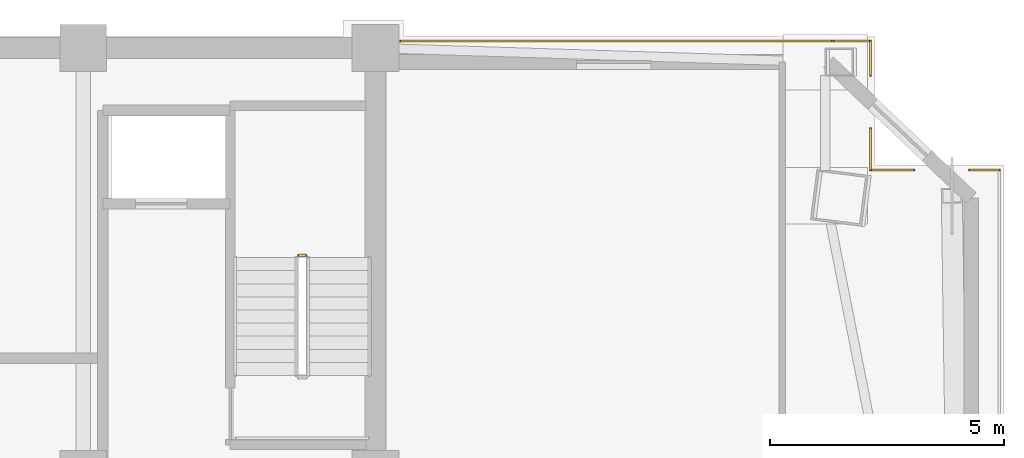
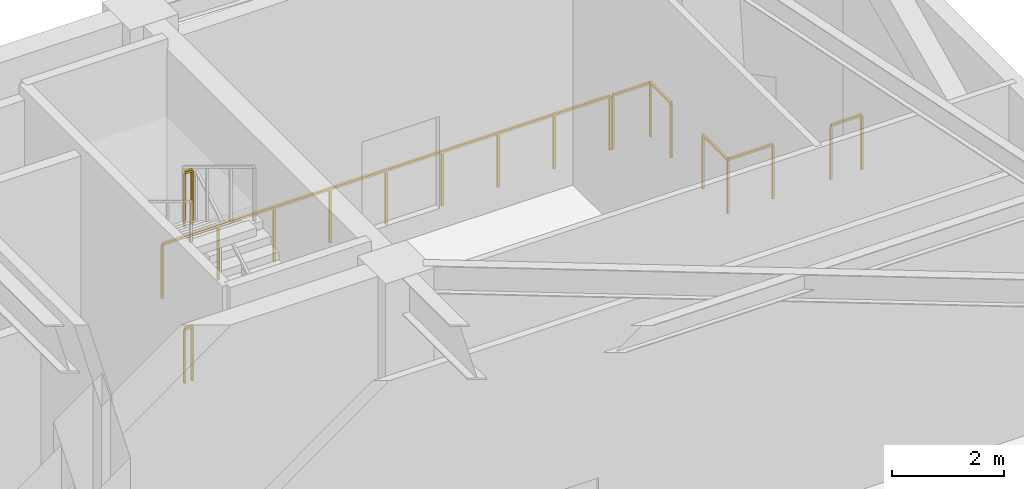
# One storey, part 16 of 16: 8 railings.
"""IFC4 building model written with IfcOpenShell, lengths in metres."""

from ifc_helpers import new_model, si_unit, direction, frame, origin, origin_2d, place, context, subcontext, project, spatial, rectangle, extrude, material, type_object, element, save


model = new_model("IFC4")

# Units and contexts
model_context = context("Model", 3, precision=1e-05, world=origin(), true_north=direction((0.0, 1.0)))
body_context = subcontext(model_context, "Body", "Model", "MODEL_VIEW")
ifc_project = project(units=[si_unit("LENGTHUNIT", "METRE"), si_unit("AREAUNIT", "SQUARE_METRE"), si_unit("VOLUMEUNIT", "CUBIC_METRE"), si_unit("PLANEANGLEUNIT", "RADIAN"), si_unit("MASSUNIT", "GRAM", prefix="KILO")], contexts=[model_context])

# Site, building, storey
site_placement = place(None, origin())
site = spatial("IfcSite", under=ifc_project, at=site_placement, CompositionType="ELEMENT")
building_placement = place(site_placement, origin())
building = spatial("IfcBuilding", under=site, at=building_placement, Name="Giltprow Tower", CompositionType="ELEMENT")
storey_placement = place(building_placement, frame((0.0, 0.0, 220.199951171875)))
storey = spatial("IfcBuildingStorey", under=building, at=storey_placement, Name="L56", CompositionType="ELEMENT", Elevation=220.199951171875)

# Railings
ifc_material = material(Name="Anodized bronze", Category="metal")
railing_type_1 = type_object("IfcRailingType", Name="RAIL-BALC-GUARD-1200", PredefinedType="BALUSTRADE", material=ifc_material)
railing_1_placement = place(storey_placement, frame((51.0849609375, 46.699951171875, 0.0)))
element("IfcRailing", 1, at=railing_1_placement, inside=storey, type_object=railing_type_1, Name="L56 Corner Apron Edge Balustrade 20", PredefinedType="BALUSTRADE", context=body_context, shape_type="SweptSolid", body=[
    extrude(rectangle(XDim=0.048095703125, YDim=0.048095703125, at=origin_2d()), frame((0.0, 0.0, 1.17578125), z_axis=(1.0, 0.0, 0.0), x_axis=(0.0, 1.0, 0.0)), (0.0, 0.0, 1.0), 9.212158203125),
    extrude(rectangle(XDim=0.0419921875, YDim=0.0419921875, at=origin_2d()), origin(), (0.0, 0.0, 1.0), 1.15185546875),
    extrude(rectangle(XDim=0.0419921875, YDim=0.0419921875, at=origin_2d()), frame((1.151611328125, 0.0, 0.0)), (0.0, 0.0, 1.0), 1.15185546875),
    extrude(rectangle(XDim=0.0419921875, YDim=0.0419921875, at=origin_2d()), frame((2.302978515625, 0.0, 0.0)), (0.0, 0.0, 1.0), 1.15185546875),
    extrude(rectangle(XDim=0.0419921875, YDim=0.0419921875, at=origin_2d()), frame((3.45458984375, 0.0, 0.0)), (0.0, 0.0, 1.0), 1.15185546875),
    extrude(rectangle(XDim=0.0419921875, YDim=0.0419921875, at=origin_2d()), frame((4.60595703125, 0.0, 0.0)), (0.0, 0.0, 1.0), 1.15185546875),
    extrude(rectangle(XDim=0.0419921875, YDim=0.0419921875, at=origin_2d()), frame((5.757568359375, 0.0, 0.0)), (0.0, 0.0, 1.0), 1.15185546875),
    extrude(rectangle(XDim=0.0419921875, YDim=0.0419921875, at=origin_2d()), frame((6.9091796875, 0.0, 0.0)), (0.0, 0.0, 1.0), 1.15185546875),
    extrude(rectangle(XDim=0.0419921875, YDim=0.0419921875, at=origin_2d()), frame((8.060546875, 0.0, 0.0)), (0.0, 0.0, 1.0), 1.15185546875),
    extrude(rectangle(XDim=0.0419921875, YDim=0.0419921875, at=origin_2d()), frame((9.212158203125, 0.0, 0.0)), (0.0, 0.0, 1.0), 1.15185546875),
])
railing_2_placement = place(storey_placement, frame((60.35009765625, 46.699951171875, 0.0)))
element("IfcRailing", 2, at=railing_2_placement, inside=storey, type_object=railing_type_1, Name="L56 Corner Apron Edge Balustrade 21", PredefinedType="BALUSTRADE", context=body_context, shape_type="SweptSolid", body=[
    extrude(rectangle(XDim=0.048095703125, YDim=0.048095703125, at=origin_2d()), frame((0.0, 0.0, 1.17578125), z_axis=(1.0, 0.0, 0.0), x_axis=(0.0, 1.0, 0.0)), (0.0, 0.0, 1.0), 0.77783203125),
    extrude(rectangle(XDim=0.0419921875, YDim=0.0419921875, at=origin_2d()), origin(), (0.0, 0.0, 1.0), 1.15185546875),
    extrude(rectangle(XDim=0.0419921875, YDim=0.0419921875, at=origin_2d()), frame((0.77783203125, 0.0, 0.0)), (0.0, 0.0, 1.0), 1.15185546875),
])
railing_3_placement = place(storey_placement, frame((61.1279296875, 46.699951171875, 0.0)))
element("IfcRailing", 3, at=railing_3_placement, inside=storey, type_object=railing_type_1, Name="L56 Corner Apron Edge Balustrade 22", PredefinedType="BALUSTRADE", context=body_context, shape_type="SweptSolid", body=[
    extrude(rectangle(XDim=0.048095703125, YDim=0.048095703125, at=origin_2d()), frame((0.0, 0.0, 1.17578125), z_axis=(0.0, -1.0, 0.0), x_axis=(1.0, 0.0, 0.0)), (0.0, 0.0, 1.0), 0.739990234375),
    extrude(rectangle(XDim=0.0419921875, YDim=0.0419921875, at=origin_2d()), origin(), (0.0, 0.0, 1.0), 1.15185546875),
    extrude(rectangle(XDim=0.0419921875, YDim=0.0419921875, at=origin_2d()), frame((0.0, -0.739990234375, 0.0)), (0.0, 0.0, 1.0), 1.15185546875),
])
railing_4_placement = place(storey_placement, frame((61.1279296875, 44.827880859375, 0.0)))
element("IfcRailing", 4, at=railing_4_placement, inside=storey, type_object=railing_type_1, Name="L56 Corner Apron Edge Balustrade 23", PredefinedType="BALUSTRADE", context=body_context, shape_type="SweptSolid", body=[
    extrude(rectangle(XDim=0.048095703125, YDim=0.048095703125, at=origin_2d()), frame((0.0, 0.0, 1.17578125), z_axis=(0.0, -1.0, 0.0), x_axis=(1.0, 0.0, 0.0)), (0.0, 0.0, 1.0), 0.8818359375),
    extrude(rectangle(XDim=0.0419921875, YDim=0.0419921875, at=origin_2d()), origin(), (0.0, 0.0, 1.0), 1.15185546875),
    extrude(rectangle(XDim=0.0419921875, YDim=0.0419921875, at=origin_2d()), frame((0.0, -0.8818359375, 0.0)), (0.0, 0.0, 1.0), 1.15185546875),
])
railing_5_placement = place(storey_placement, frame((61.1279296875, 43.946044921875, 0.0)))
element("IfcRailing", 5, at=railing_5_placement, inside=storey, type_object=railing_type_1, Name="L56 Corner Apron Edge Balustrade 24", PredefinedType="BALUSTRADE", context=body_context, shape_type="SweptSolid", body=[
    extrude(rectangle(XDim=0.048095703125, YDim=0.048095703125, at=origin_2d()), frame((0.0, 0.0, 1.17578125), z_axis=(1.0, 0.0, 0.0), x_axis=(0.0, 1.0, 0.0)), (0.0, 0.0, 1.0), 0.927978515625),
    extrude(rectangle(XDim=0.0419921875, YDim=0.0419921875, at=origin_2d()), origin(), (0.0, 0.0, 1.0), 1.15185546875),
    extrude(rectangle(XDim=0.0419921875, YDim=0.0419921875, at=origin_2d()), frame((0.927978515625, 0.0, 0.0)), (0.0, 0.0, 1.0), 1.15185546875),
])
railing_6_placement = place(storey_placement, frame((63.24609375, 43.946044921875, 0.0)))
element("IfcRailing", 6, at=railing_6_placement, inside=storey, type_object=railing_type_1, Name="L56 Corner Apron Edge Balustrade 25", PredefinedType="BALUSTRADE", context=body_context, shape_type="SweptSolid", body=[
    extrude(rectangle(XDim=0.048095703125, YDim=0.048095703125, at=origin_2d()), frame((0.0, 0.0, 1.17578125), z_axis=(1.0, 0.0, 0.0), x_axis=(0.0, 1.0, 0.0)), (0.0, 0.0, 1.0), 0.635986328125),
    extrude(rectangle(XDim=0.0419921875, YDim=0.0419921875, at=origin_2d()), origin(), (0.0, 0.0, 1.0), 1.15185546875),
    extrude(rectangle(XDim=0.0419921875, YDim=0.0419921875, at=origin_2d()), frame((0.635986328125, 0.0, 0.0)), (0.0, 0.0, 1.0), 1.15185546875),
])
railing_type_2 = type_object("IfcRailingType", Name="RAIL-STAIR-GUARD-1200", PredefinedType="GUARDRAIL", material=ifc_material)
for number, where, name in (
    (7, (49.06005859375, 42.1201171875, 1.699951171875), "L56 ST-3 stair guard 2"),
    (8, (49.06005859375, 42.1201171875, 5.10009765625), "L56 ST-3 stair guard 6"),
):
    element("IfcRailing", number, at=place(storey_placement, frame(where)), inside=storey, type_object=railing_type_2, Name=name, PredefinedType="GUARDRAIL", context=body_context, shape_type="SweptSolid", body=[
        extrude(rectangle(XDim=0.048095703125, YDim=0.048095703125, at=origin_2d()), frame((0.0, 0.0, 1.17578125), z_axis=(-1.0, 0.0, 0.0), x_axis=(0.0, -1.0, 0.0)), (0.0, 0.0, 1.0), 0.16015625),
        extrude(rectangle(XDim=0.0419921875, YDim=0.0419921875, at=origin_2d()), origin(), (0.0, 0.0, 1.0), 1.15185546875),
        extrude(rectangle(XDim=0.0419921875, YDim=0.0419921875, at=origin_2d()), frame((-0.16015625, 0.0, 0.0)), (0.0, 0.0, 1.0), 1.15185546875),
    ])

save(model, "model.ifc")
